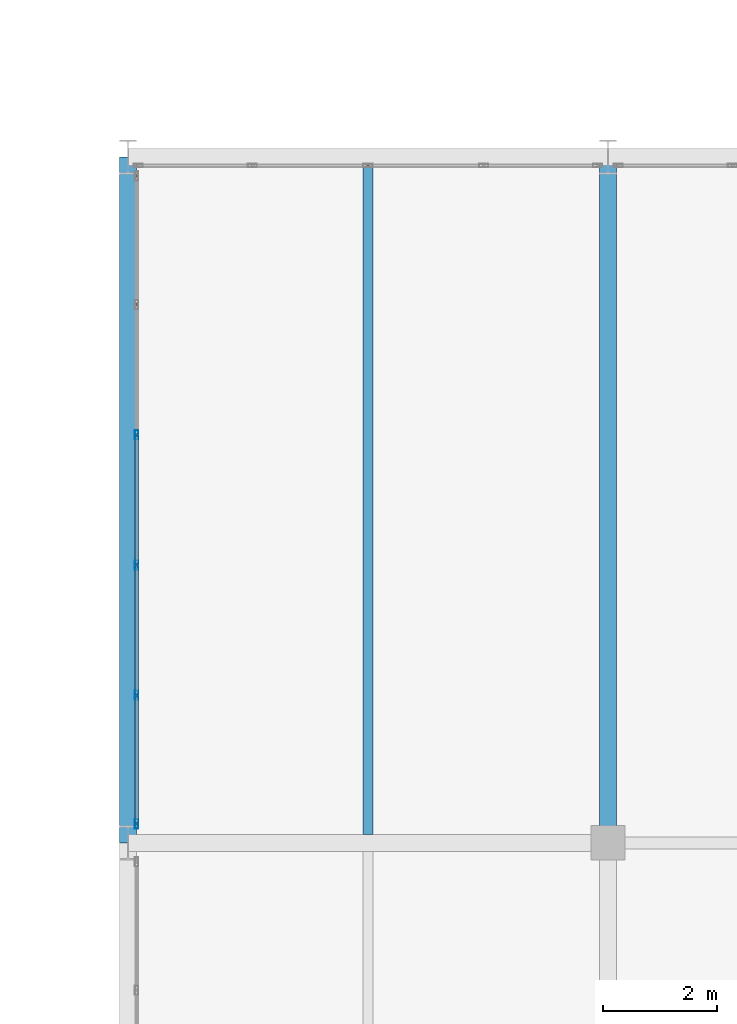
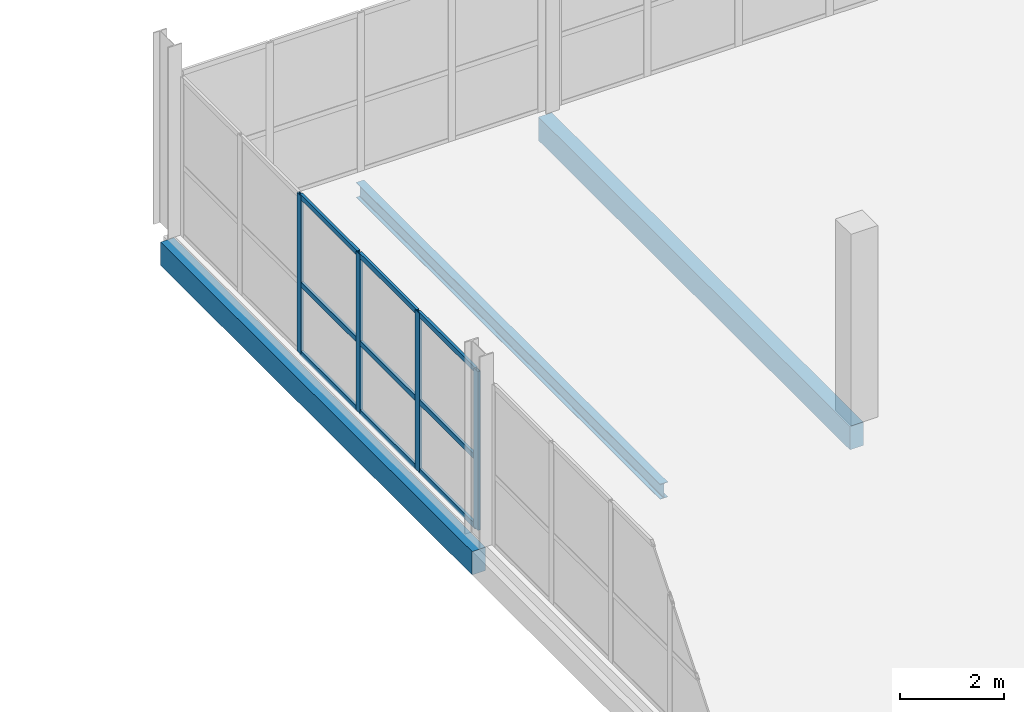
# One storey, part 97 of 130: 13 members, 3 beams, 1 element without a shape of its own.
"""IFC4 building model written with IfcOpenShell, lengths in metres."""

from ifc_helpers import new_model, si_unit, direction, frame, origin, origin_2d, place, context, subcontext, project, spatial, rectangle, hollow_rectangle, i_section, extrude, material, material_profile, profile_set, type_object, element, aggregate, save


model = new_model("IFC4")

# Units and contexts
model_context = context("Model", 3, precision=1e-05, world=origin(), true_north=direction((0.0, 1.0)))
body_context = subcontext(model_context, "Body", "Model", "MODEL_VIEW")
ifc_project = project(units=[si_unit("LENGTHUNIT", "METRE"), si_unit("AREAUNIT", "SQUARE_METRE"), si_unit("VOLUMEUNIT", "CUBIC_METRE"), si_unit("PLANEANGLEUNIT", "RADIAN"), si_unit("MASSUNIT", "GRAM", prefix="KILO")], contexts=[model_context])

# Site, building, storey
site_placement = place(None, origin())
site = spatial("IfcSite", under=ifc_project, at=site_placement, CompositionType="ELEMENT")
building_placement = place(site_placement, origin())
building = spatial("IfcBuilding", under=site, at=building_placement, Name="Veltarok Museum of Natural Sciences", CompositionType="ELEMENT")
storey_placement = place(building_placement, frame((0.0, 0.0, 12.89990234375)))
storey = spatial("IfcBuildingStorey", under=building, at=storey_placement, Name="L02", CompositionType="ELEMENT", Elevation=12.89990234375)

# Curtain wall, members
ifc_material_1 = material(Name="Low-iron triple insulated glass", Category="glass")
curtain_wall_type = type_object("IfcCurtainWallType", Name="Curtain Wall System CW-V5CW-L02-3-1140x373 (CW-V5CW L02 1140x373cm)", PredefinedType="NOTDEFINED", material=ifc_material_1)
curtain_wall_placement = place(storey_placement, origin())
curtain_wall = element("IfcCurtainWall", 1, at=curtain_wall_placement, inside=storey, type_object=curtain_wall_type, Name="Curtain Wall CW-V5CW-L02-3-1140x373 CW-0179", PredefinedType="NOTDEFINED")
ifc_material_2 = material(Name="Thermally broken anodised aluminium", Category="aluminium")
ifc_material_profile_1 = material_profile(ifc_material_2, hollow_rectangle(XDim=0.06005859375, YDim=0.1201171875, WallThickness=0.0048828125, at=origin_2d()), Name="CW TRANSOM 60x120x5")
ifc_profile_set_1 = profile_set([ifc_material_profile_1], Name="Thermally broken anodised aluminium")
member_type_1 = type_object("IfcMemberType", Name="Curtain Wall Horizontal Transom 60x120x5", PredefinedType="USERDEFINED", material=ifc_profile_set_1)
member_1_placement = place(storey_placement, frame((132.550048828125, 60.360107421875, 0.028076171875), z_axis=(0.0, 1.0, 0.0), x_axis=(-1.0, 0.0, 0.0)))
member_1 = element("IfcMember", 2, at=member_1_placement, type_object=member_type_1, Name="CW-V5CW-L02-3-1140x373 transom 1.1", ObjectType="TRANSOM", PredefinedType="USERDEFINED", context=body_context, shape_type="SweptSolid", body=[
    extrude(hollow_rectangle(XDim=0.06005859375, YDim=0.1201171875, WallThickness=0.0048828125, at=origin_2d()), origin(), (0.0, 0.0, 1.0), 2.18994140625),
])
member_2_placement = place(storey_placement, frame((132.550048828125, 60.360107421875, 1.648193359375), z_axis=(0.0, 1.0, 0.0), x_axis=(-1.0, 0.0, 0.0)))
member_2 = element("IfcMember", 3, at=member_2_placement, type_object=member_type_1, Name="CW-V5CW-L02-3-1140x373 transom 1.2", ObjectType="TRANSOM", PredefinedType="USERDEFINED", context=body_context, shape_type="SweptSolid", body=[
    extrude(hollow_rectangle(XDim=0.06005859375, YDim=0.1201171875, WallThickness=0.0048828125, at=origin_2d()), origin(), (0.0, 0.0, 1.0), 2.18994140625),
])
member_3_placement = place(storey_placement, frame((132.550048828125, 60.360107421875, 3.7001953125), z_axis=(0.0, 1.0, 0.0), x_axis=(-1.0, 0.0, 0.0)))
member_3 = element("IfcMember", 4, at=member_3_placement, type_object=member_type_1, Name="CW-V5CW-L02-3-1140x373 transom 1.3", ObjectType="TRANSOM", PredefinedType="USERDEFINED", context=body_context, shape_type="SweptSolid", body=[
    extrude(hollow_rectangle(XDim=0.06005859375, YDim=0.1201171875, WallThickness=0.0048828125, at=origin_2d()), origin(), (0.0, 0.0, 1.0), 2.18994140625),
])
member_4_placement = place(storey_placement, frame((132.550048828125, 62.610107421875, 0.028076171875), z_axis=(0.0, 1.0, 0.0), x_axis=(-1.0, 0.0, 0.0)))
member_4 = element("IfcMember", 5, at=member_4_placement, type_object=member_type_1, Name="CW-V5CW-L02-3-1140x373 transom 2.1", ObjectType="TRANSOM", PredefinedType="USERDEFINED", context=body_context, shape_type="SweptSolid", body=[
    extrude(hollow_rectangle(XDim=0.06005859375, YDim=0.1201171875, WallThickness=0.0048828125, at=origin_2d()), origin(), (0.0, 0.0, 1.0), 2.219970703125),
])
member_5_placement = place(storey_placement, frame((132.550048828125, 62.610107421875, 1.648193359375), z_axis=(0.0, 1.0, 0.0), x_axis=(-1.0, 0.0, 0.0)))
member_5 = element("IfcMember", 6, at=member_5_placement, type_object=member_type_1, Name="CW-V5CW-L02-3-1140x373 transom 2.2", ObjectType="TRANSOM", PredefinedType="USERDEFINED", context=body_context, shape_type="SweptSolid", body=[
    extrude(hollow_rectangle(XDim=0.06005859375, YDim=0.1201171875, WallThickness=0.0048828125, at=origin_2d()), origin(), (0.0, 0.0, 1.0), 2.219970703125),
])
member_6_placement = place(storey_placement, frame((132.550048828125, 62.610107421875, 3.7001953125), z_axis=(0.0, 1.0, 0.0), x_axis=(-1.0, 0.0, 0.0)))
member_6 = element("IfcMember", 7, at=member_6_placement, type_object=member_type_1, Name="CW-V5CW-L02-3-1140x373 transom 2.3", ObjectType="TRANSOM", PredefinedType="USERDEFINED", context=body_context, shape_type="SweptSolid", body=[
    extrude(hollow_rectangle(XDim=0.06005859375, YDim=0.1201171875, WallThickness=0.0048828125, at=origin_2d()), origin(), (0.0, 0.0, 1.0), 2.219970703125),
])
member_7_placement = place(storey_placement, frame((132.550048828125, 64.889892578125, 0.028076171875), z_axis=(0.0, 1.0, 0.0), x_axis=(-1.0, 0.0, 0.0)))
member_7 = element("IfcMember", 8, at=member_7_placement, type_object=member_type_1, Name="CW-V5CW-L02-3-1140x373 transom 3.1", ObjectType="TRANSOM", PredefinedType="USERDEFINED", context=body_context, shape_type="SweptSolid", body=[
    extrude(hollow_rectangle(XDim=0.06005859375, YDim=0.1201171875, WallThickness=0.0048828125, at=origin_2d()), origin(), (0.0, 0.0, 1.0), 2.22021484375),
])
member_8_placement = place(storey_placement, frame((132.550048828125, 64.889892578125, 1.648193359375), z_axis=(0.0, 1.0, 0.0), x_axis=(-1.0, 0.0, 0.0)))
member_8 = element("IfcMember", 9, at=member_8_placement, type_object=member_type_1, Name="CW-V5CW-L02-3-1140x373 transom 3.2", ObjectType="TRANSOM", PredefinedType="USERDEFINED", context=body_context, shape_type="SweptSolid", body=[
    extrude(hollow_rectangle(XDim=0.06005859375, YDim=0.1201171875, WallThickness=0.0048828125, at=origin_2d()), origin(), (0.0, 0.0, 1.0), 2.22021484375),
])
member_9_placement = place(storey_placement, frame((132.550048828125, 64.889892578125, 3.7001953125), z_axis=(0.0, 1.0, 0.0), x_axis=(-1.0, 0.0, 0.0)))
member_9 = element("IfcMember", 10, at=member_9_placement, type_object=member_type_1, Name="CW-V5CW-L02-3-1140x373 transom 3.3", ObjectType="TRANSOM", PredefinedType="USERDEFINED", context=body_context, shape_type="SweptSolid", body=[
    extrude(hollow_rectangle(XDim=0.06005859375, YDim=0.1201171875, WallThickness=0.0048828125, at=origin_2d()), origin(), (0.0, 0.0, 1.0), 2.22021484375),
])
ifc_material_profile_2 = material_profile(ifc_material_2, hollow_rectangle(XDim=0.06005859375, YDim=0.159912109375, WallThickness=0.0048828125, at=origin_2d()), Name="CW MULLION 60x160x5")
ifc_profile_set_2 = profile_set([ifc_material_profile_2], Name="Thermally broken anodised aluminium")
member_type_2 = type_object("IfcMemberType", Name="Curtain Wall Vertical Mullion 60x160x5", PredefinedType="MULLION", material=ifc_profile_set_2)
member_10_placement = place(storey_placement, frame((132.550048828125, 60.330078125, -0.001953125), z_axis=(0.0, 0.0, 1.0), x_axis=(-1.0, 0.0, 0.0)))
member_10 = element("IfcMember", 11, at=member_10_placement, type_object=member_type_2, Name="CW-V5CW-L02-3-1140x373 mullion 1", PredefinedType="MULLION", context=body_context, shape_type="SweptSolid", body=[
    extrude(hollow_rectangle(XDim=0.06005859375, YDim=0.159912109375, WallThickness=0.0048828125, at=origin_2d()), origin(), (0.0, 0.0, 1.0), 3.73193359375),
])
member_11_placement = place(storey_placement, frame((132.550048828125, 62.580078125, -0.001953125), z_axis=(0.0, 0.0, 1.0), x_axis=(-1.0, 0.0, 0.0)))
member_11 = element("IfcMember", 12, at=member_11_placement, type_object=member_type_2, Name="CW-V5CW-L02-3-1140x373 mullion 2", PredefinedType="MULLION", context=body_context, shape_type="SweptSolid", body=[
    extrude(hollow_rectangle(XDim=0.06005859375, YDim=0.159912109375, WallThickness=0.0048828125, at=origin_2d()), origin(), (0.0, 0.0, 1.0), 3.73193359375),
])
member_12_placement = place(storey_placement, frame((132.550048828125, 64.860107421875, -0.001953125), z_axis=(0.0, 0.0, 1.0), x_axis=(-1.0, 0.0, 0.0)))
member_12 = element("IfcMember", 13, at=member_12_placement, type_object=member_type_2, Name="CW-V5CW-L02-3-1140x373 mullion 3", PredefinedType="MULLION", context=body_context, shape_type="SweptSolid", body=[
    extrude(hollow_rectangle(XDim=0.06005859375, YDim=0.159912109375, WallThickness=0.0048828125, at=origin_2d()), origin(), (0.0, 0.0, 1.0), 3.73193359375),
])
member_13_placement = place(storey_placement, frame((132.550048828125, 67.139892578125, -0.001953125), z_axis=(0.0, 0.0, 1.0), x_axis=(-1.0, 0.0, 0.0)))
member_13 = element("IfcMember", 14, at=member_13_placement, type_object=member_type_2, Name="CW-V5CW-L02-3-1140x373 mullion 4", PredefinedType="MULLION", context=body_context, shape_type="SweptSolid", body=[
    extrude(hollow_rectangle(XDim=0.06005859375, YDim=0.159912109375, WallThickness=0.0048828125, at=origin_2d()), origin(), (0.0, 0.0, 1.0), 3.73193359375),
])
aggregate(curtain_wall, [member_10, member_11, member_12, member_13, member_1, member_2, member_3, member_4, member_5, member_6, member_7, member_8, member_9])

# Beams
ifc_material_3 = material(Name="Precast concrete C40/50", Category="concrete")
ifc_material_profile_3 = material_profile(ifc_material_3, rectangle(XDim=0.300048828125, YDim=0.550048828125, at=origin_2d()), Name="RC 300x550")
ifc_profile_set_3 = profile_set([ifc_material_profile_3], Name="Precast concrete C40/50")
beam_type_1 = type_object("IfcBeamType", Name="East Wing Precast Spandrel RC 300x550", PredefinedType="SPANDREL", material=ifc_profile_set_3)
for number, where, z_axis, x_axis, name in (
    (15, (132.39990234375, 60.0, -0.52490234375), (0.0, 1.0, 0.0), (-1.0, 0.0, 0.0), "Beam BM-SP02 L02 16/G-H"),
    (16, (140.800048828125, 60.0, -0.52490234375), (0.0, 1.0, 0.0), (-1.0, 0.0, 0.0), "Beam BM-SP02 L02 17/G-H"),
):
    element("IfcBeam", number, at=place(storey_placement, frame(where, z_axis=z_axis, x_axis=x_axis)), inside=storey, type_object=beam_type_1, Name=name, PredefinedType="SPANDREL", context=body_context, shape_type="SweptSolid", body=[
        extrude(rectangle(XDim=0.300048828125, YDim=0.550048828125, at=origin_2d()), origin(), (0.0, 0.0, 1.0), 12.0),
    ])
ifc_material_4 = material(Name="Steel S355J2", Category="steel")
ifc_material_profile_4 = material_profile(ifc_material_4, i_section(OverallWidth=0.169921875, OverallDepth=0.360107421875, WebThickness=0.008056640625, FlangeThickness=0.0126953125, FilletRadius=0.01806640625, at=origin_2d()), Name="IPE 360")
ifc_profile_set_4 = profile_set([ifc_material_profile_4], Name="Steel S355J2")
beam_type_2 = type_object("IfcBeamType", Name="Long-Bay Composite Joist IPE 360", PredefinedType="JOIST", material=ifc_profile_set_4)
beam_placement = place(storey_placement, frame((136.60009765625, 60.14794921875, -0.429931640625), z_axis=(0.0, 1.0, 0.0), x_axis=(-1.0, 0.0, 0.0)))
element("IfcBeam", 17, at=beam_placement, inside=storey, type_object=beam_type_2, Name="Secondary Joist BM-J01 L02 16-17/G-H.1", PredefinedType="JOIST", context=body_context, shape_type="SweptSolid", body=[
    extrude(i_section(OverallWidth=0.169921875, OverallDepth=0.360107421875, WebThickness=0.008056640625, FlangeThickness=0.0126953125, FilletRadius=0.01806640625, at=origin_2d()), origin(), (0.0, 0.0, 1.0), 11.7041015625),
])

save(model, "model.ifc")
